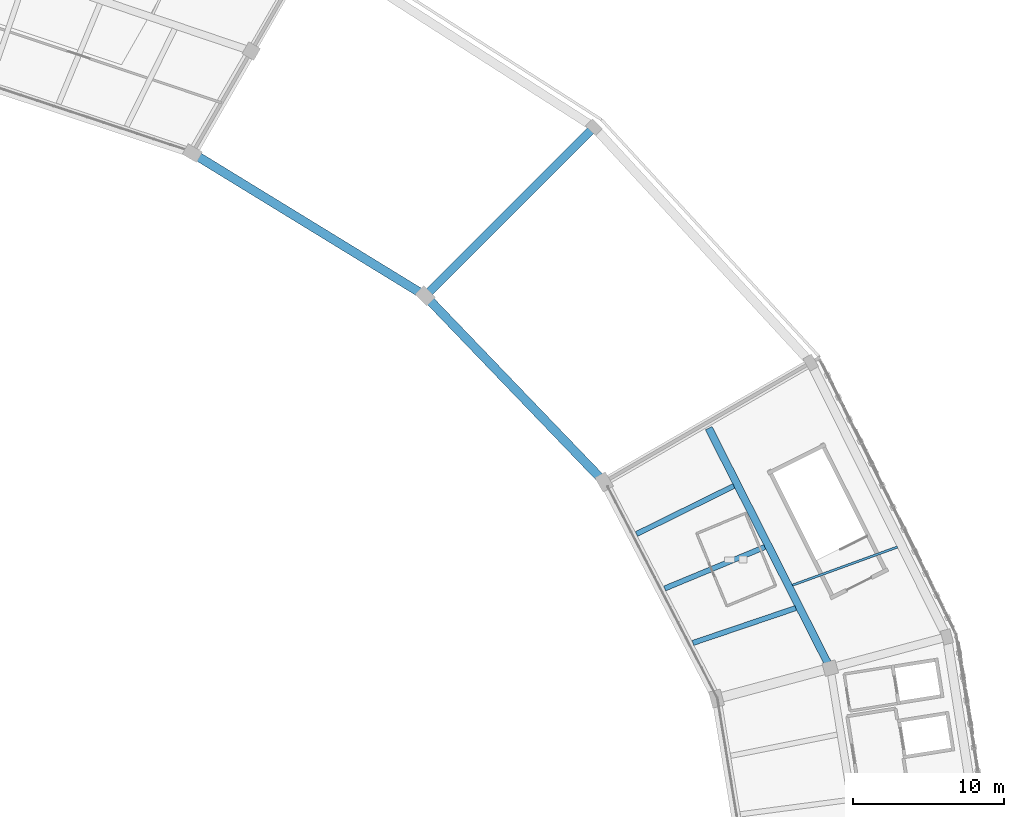
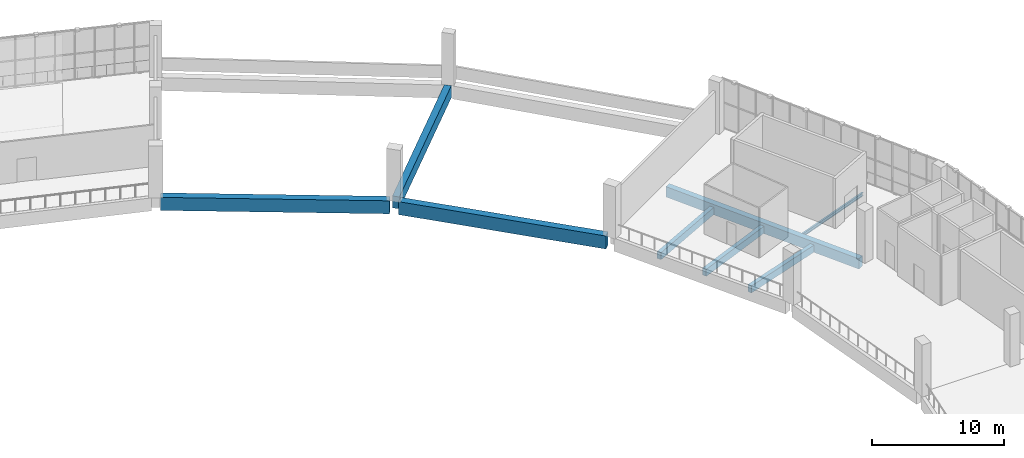
# One storey, part 22 of 64: 8 beams.
"""IFC4 building model written with IfcOpenShell, lengths in metres."""

import ifcopenshell
import ifcopenshell.guid

model = None  # the IFC model being written
_history = None  # IfcOwnerHistory: only IFC2X3 demands one
_inside = {}  # id of a spatial element -> (the spatial element, [elements in it])
_under = {}  # id of a project, library or spatial element -> (it, [spatial elements below it])
_declared = {}  # id of a project -> (the project, [libraries it declares])
_typed = {}  # id of a type object -> (the type object, [elements of that type])
_made_of = {}  # id of a material, layer set ... -> (it, [elements and type objects made of it])


def new_model(schema):
    """Start an empty IFC model of exactly this schema.

    Asked for "IFC4X3", IfcOpenShell would pick the latest addendum, in which some entities
    have other attributes; the version numbers below select the first issue.
    IFC2X3 requires an IfcOwnerHistory on every rooted entity: one is made here for all.
    """
    global model, _history
    if schema == "IFC4X3":
        model = ifcopenshell.file(schema_version=(4, 3, 0, 0))
    else:
        model = ifcopenshell.file(schema=schema)
    _inside.clear()
    _under.clear()
    _declared.clear()
    _typed.clear()
    _made_of.clear()
    _history = None
    if model.schema == "IFC2X3":
        org = make("IfcOrganization", Name="unknown")
        user = make(
            "IfcPersonAndOrganization",
            ThePerson=make("IfcPerson", FamilyName="unknown"),
            TheOrganization=org,
        )
        app = make(
            "IfcApplication",
            ApplicationDeveloper=org,
            Version="unknown",
            ApplicationFullName="unknown",
            ApplicationIdentifier="unknown",
        )
        _history = make(
            "IfcOwnerHistory",
            OwningUser=user,
            OwningApplication=app,
            ChangeAction="ADDED",
            CreationDate=0,
        )
    return model


def make(cls, **values):
    """One entity of the class cls with the attributes given. An attribute that is None is left unset."""
    return model.create_entity(
        cls, **{name: value for name, value in values.items() if value is not None}
    )


def rooted(cls, **values):
    """An entity with a GlobalId (a new one), such as an element, a storey or a relation."""
    return make(cls, GlobalId=ifcopenshell.guid.new(), OwnerHistory=_history, **values)


def si_unit(unit_type, name, prefix=None):
    """IfcSIUnit, for example si_unit("LENGTHUNIT", "METRE", prefix="MILLI")."""
    return make("IfcSIUnit", UnitType=unit_type, Prefix=prefix, Name=name)


def assignment(units):
    """IfcUnitAssignment: the units of a project."""
    return None if units is None else make("IfcUnitAssignment", Units=units)


def point(xyz):
    """IfcCartesianPoint."""
    return None if xyz is None else make("IfcCartesianPoint", Coordinates=xyz)


def direction(xyz):
    """IfcDirection."""
    return None if xyz is None else make("IfcDirection", DirectionRatios=xyz)


def frame(location, z_axis=None, x_axis=None):
    """IfcAxis2Placement3D, a coordinate frame: its origin and axes. An axis left out is left unset."""
    return make(
        "IfcAxis2Placement3D",
        Location=point(location),
        Axis=direction(z_axis),
        RefDirection=direction(x_axis),
    )


def frame_2d(location, x_axis=None):
    """IfcAxis2Placement2D, a coordinate frame in the plane: its origin and x axis."""
    return make(
        "IfcAxis2Placement2D", Location=point(location), RefDirection=direction(x_axis)
    )


def origin():
    """The frame at (0, 0, 0) with its axes left unset."""
    return frame((0.0, 0.0, 0.0))


def origin_2d():
    """The frame at (0, 0) in the plane with its x axis left unset."""
    return frame_2d((0.0, 0.0))


def place(relative_to, where):
    """IfcLocalPlacement: puts the frame where relative to a parent placement (None: the world)."""
    return make(
        "IfcLocalPlacement", PlacementRelTo=relative_to, RelativePlacement=where
    )


def context(
    kind, dimensions, precision=None, world=None, true_north=None, identifier=None
):
    """IfcGeometricRepresentationContext, for example the 3D "Model" context."""
    return make(
        "IfcGeometricRepresentationContext",
        ContextIdentifier=identifier,
        ContextType=kind,
        CoordinateSpaceDimension=dimensions,
        Precision=precision,
        WorldCoordinateSystem=world,
        TrueNorth=true_north,
    )


def subcontext(parent, identifier, kind, view, scale=None):
    """IfcGeometricRepresentationSubContext, for example "Body" below "Model"."""
    return make(
        "IfcGeometricRepresentationSubContext",
        ContextIdentifier=identifier,
        ContextType=kind,
        ParentContext=parent,
        TargetScale=scale,
        TargetView=view,
    )


def project(units=None, contexts=None):
    """IfcProject with its units and contexts."""
    return rooted(
        "IfcProject",
        Name="project",
        RepresentationContexts=contexts,
        UnitsInContext=assignment(units),
    )


def spatial(cls, under=None, at=None, **own):
    """A site, building, storey or space (cls), placed at a placement, below another one or the project."""
    s = rooted(cls, ObjectPlacement=at, **own)
    if under is not None:
        _under.setdefault(under.id(), (under, []))[1].append(s)
    return s


def profile(cls, at=None, kind="AREA", **sizes):
    """A parametric profile (cls). Its sizes go by their IFC names, for example OverallWidth=200.0."""
    return make(cls, ProfileType=kind, Position=at, **sizes)


def rectangle(**sizes):
    """IfcRectangleProfileDef."""
    return profile("IfcRectangleProfileDef", **sizes)


def i_section(**sizes):
    """IfcIShapeProfileDef."""
    return profile("IfcIShapeProfileDef", **sizes)


def extrude(swept, where, along, depth):
    """IfcExtrudedAreaSolid: the profile swept, set in the frame where, extruded along a direction by depth."""
    return make(
        "IfcExtrudedAreaSolid",
        SweptArea=swept,
        Position=where,
        ExtrudedDirection=direction(along),
        Depth=depth,
    )


def shape(context_of_items, identifier, shape_type, items):
    """IfcShapeRepresentation: the items that make up one representation, for example the "Body"."""
    return make(
        "IfcShapeRepresentation",
        ContextOfItems=context_of_items,
        RepresentationIdentifier=identifier,
        RepresentationType=shape_type,
        Items=items,
    )


def material(Name=None, Category=None):
    """IfcMaterial."""
    return make("IfcMaterial", Name=Name, Category=Category)


def material_profile(
    of_material, cross_section, Name=None, Category=None, Priority=None
):
    """IfcMaterialProfile: a cross section and its material."""
    return make(
        "IfcMaterialProfile",
        Name=Name,
        Material=of_material,
        Profile=cross_section,
        Priority=Priority,
        Category=Category,
    )


def profile_set(profiles, Name=None, composite=None):
    """IfcMaterialProfileSet."""
    return make(
        "IfcMaterialProfileSet",
        Name=Name,
        MaterialProfiles=profiles,
        CompositeProfile=composite,
    )


def made_of(thing, what):
    """Note that an element or type object is made of a material, layer set ...; save() writes the relation."""
    if what is not None:
        _made_of.setdefault(what.id(), (what, []))[1].append(thing)
    return thing


def type_object(cls, material=None, **own):
    """A type object (cls), such as IfcWallType, which elements share."""
    return made_of(rooted(cls, **own), material)


def element(
    cls,
    number,
    at=None,
    inside=None,
    cuts=None,
    type_object=None,
    material=None,
    context=None,
    identifier="Body",
    shape_type=None,
    held_by="IfcProductDefinitionShape",
    body=None,
    shapes=None,
    **own,
):
    """One element of the class cls, such as IfcWall. Its Tag is "e" and its number.

    at: its placement. inside: the storey or other place that contains it. cuts: it is an
    opening in that element (IfcRelVoidsElement). A single representation is given by context,
    identifier, shape_type and body (its items); several are given by shapes. held_by: the class
    of the entity that holds the representations. save() writes the other relations.
    """
    e = rooted(cls, Tag="e%d" % number, ObjectPlacement=at, **own)
    if body is not None:
        shapes = [shape(context, identifier, shape_type, body)]
    if shapes is not None:
        e.Representation = make(held_by, Representations=shapes)
    if inside is not None:
        _inside.setdefault(inside.id(), (inside, []))[1].append(e)
    if cuts is not None:
        rooted(
            "IfcRelVoidsElement", RelatingBuildingElement=cuts, RelatedOpeningElement=e
        )
    if type_object is not None:
        _typed.setdefault(type_object.id(), (type_object, []))[1].append(e)
    return made_of(e, material)


def aggregate(whole, parts):
    """IfcRelAggregates: a whole, such as a stair, and the parts it consists of."""
    return rooted("IfcRelAggregates", RelatingObject=whole, RelatedObjects=parts)


def save(model, path):
    """Write the relations noted so far, then the file.

    IfcRelAggregates (storeys below a building ...), IfcRelContainedInSpatialStructure (elements
    in a storey), IfcRelDefinesByType, IfcRelAssociatesMaterial and IfcRelDeclares: one each for
    every whole, place, type object, material and project.
    """
    for whole, parts in _under.values():
        aggregate(whole, parts)
    for where, things in _inside.values():
        rooted(
            "IfcRelContainedInSpatialStructure",
            RelatedElements=things,
            RelatingStructure=where,
        )
    for kind, things in _typed.values():
        rooted("IfcRelDefinesByType", RelatedObjects=things, RelatingType=kind)
    for what, things in _made_of.values():
        rooted("IfcRelAssociatesMaterial", RelatedObjects=things, RelatingMaterial=what)
    for by, libraries in _declared.values():
        rooted("IfcRelDeclares", RelatingContext=by, RelatedDefinitions=libraries)
    model.write(path)


model = new_model("IFC4")

# Units and contexts
model_context = context("Model", 3, precision=1e-05, world=origin(), true_north=direction((0.0, 1.0)))
body_context = subcontext(model_context, "Body", "Model", "MODEL_VIEW")
ifc_project = project(units=[si_unit("LENGTHUNIT", "METRE"), si_unit("AREAUNIT", "SQUARE_METRE"), si_unit("VOLUMEUNIT", "CUBIC_METRE"), si_unit("PLANEANGLEUNIT", "RADIAN"), si_unit("MASSUNIT", "GRAM", prefix="KILO")], contexts=[model_context])

# Site, building, storey
site_placement = place(None, origin())
site = spatial("IfcSite", under=ifc_project, at=site_placement, CompositionType="ELEMENT")
building_placement = place(site_placement, origin())
building = spatial("IfcBuilding", under=site, at=building_placement, Name="Zevraka Park Crest Stadium", CompositionType="ELEMENT")
storey_placement = place(building_placement, frame((0.0, 0.0, 24.60009765625)))
storey = spatial("IfcBuildingStorey", under=building, at=storey_placement, Name="L05", CompositionType="ELEMENT", Elevation=24.60009765625)

# Beams
ifc_material_1 = material(Name="Concrete C40/50", Category="concrete")
ifc_material_profile_1 = material_profile(ifc_material_1, rectangle(XDim=0.550048828125, YDim=1.10009765625, at=origin_2d()), Name="RC 1100x550")
ifc_profile_set_1 = profile_set([ifc_material_profile_1], Name="Concrete C40/50")
beam_type_1 = type_object("IfcBeamType", Name="BG02", PredefinedType="BEAM", material=ifc_profile_set_1)
beam_1_placement = place(storey_placement, frame((164.89111328125, 134.284912109375, -0.56005859375), z_axis=(0.707130872727, 0.707082688826, 0.0), x_axis=(-0.707082688826, 0.707130872727, 0.0)))
element("IfcBeam", 1, at=beam_1_placement, inside=storey, type_object=beam_type_1, Name="Radial Girder BG02 L05-BD-03", PredefinedType="BEAM", context=body_context, shape_type="SweptSolid", body=[
    extrude(rectangle(XDim=0.550048828125, YDim=1.10009765625, at=origin_2d()), origin(), (0.0, 0.0, 1.0), 15.200439453125),
])
ifc_material_2 = material(Name="Concrete C40/50", Category="concrete")
ifc_material_profile_2 = material_profile(ifc_material_2, rectangle(XDim=0.60009765625, YDim=1.199951171875, at=origin_2d()), Name="RC 1200x600")
ifc_profile_set_2 = profile_set([ifc_material_profile_2], Name="Concrete C40/50")
beam_type_2 = type_object("IfcBeamType", Name="RB01", PredefinedType="BEAM", material=ifc_profile_set_2)
beam_2_placement = place(storey_placement, frame((176.256103515625, 122.02392578125, -0.610107421875), z_axis=(-0.692852617328, 0.721079226342, 0.0), x_axis=(-0.721079226342, -0.692852617328, 0.0)))
element("IfcBeam", 2, at=beam_2_placement, inside=storey, type_object=beam_type_2, Name="Ring Beam RB01 L05-B-02", PredefinedType="BEAM", context=body_context, shape_type="SweptSolid", body=[
    extrude(rectangle(XDim=0.60009765625, YDim=1.199951171875, at=origin_2d()), origin(), (0.0, 0.0, 1.0), 16.329833984375),
])
beam_3_placement = place(storey_placement, frame((164.35498046875, 134.27197265625, -0.610107421875), z_axis=(-0.852632623571, 0.522510869956, 0.0), x_axis=(-0.522510869956, -0.852632623571, 0.0)))
element("IfcBeam", 3, at=beam_3_placement, inside=storey, type_object=beam_type_2, Name="Ring Beam RB01 L05-B-03", PredefinedType="BEAM", context=body_context, shape_type="SweptSolid", body=[
    extrude(rectangle(XDim=0.60009765625, YDim=1.199951171875, at=origin_2d()), origin(), (0.0, 0.0, 1.0), 17.335693359375),
])
ifc_material_3 = material(Name="Concrete C40/50", Category="concrete")
ifc_material_profile_3 = material_profile(ifc_material_3, rectangle(XDim=0.5, YDim=0.949951171875, at=origin_2d()), Name="RC 950x500")
ifc_profile_set_3 = profile_set([ifc_material_profile_3], Name="Concrete C40/50")
beam_type_3 = type_object("IfcBeamType", Name="RB02", PredefinedType="BEAM", material=ifc_profile_set_3)
beam_4_placement = place(storey_placement, frame((191.323974609375, 109.758056640625, -0.485107421875), z_axis=(-0.451862275442, 0.892087710953, 0.0), x_axis=(-0.892087710953, -0.451862275442, 0.0)))
element("IfcBeam", 4, at=beam_4_placement, inside=storey, type_object=beam_type_3, Name="Ring Beam RB02 L05-C-01", PredefinedType="BEAM", context=body_context, shape_type="SweptSolid", body=[
    extrude(rectangle(XDim=0.5, YDim=0.949951171875, at=origin_2d()), origin(), (0.0, 0.0, 1.0), 17.434326171875),
])
ifc_material_4 = material(Name="Steel S355", Category="steel")
ifc_material_profile_4 = material_profile(ifc_material_4, i_section(OverallWidth=0.14990234375, OverallDepth=0.300048828125, WebThickness=0.007080078125, FlangeThickness=0.0107421875, at=origin_2d()), Name="IPE 300")
ifc_profile_set_4 = profile_set([ifc_material_profile_4], Name="Steel S355")
beam_type_4 = type_object("IfcBeamType", Name="SJ01", PredefinedType="JOIST", material=ifc_profile_set_4)
beam_5_placement = place(storey_placement, frame((188.986083984375, 114.9130859375, -0.418212890625), z_axis=(0.939772225385, 0.341801352243, 0.0), x_axis=(-0.341801352243, 0.939772225385, 0.0)))
element("IfcBeam", 5, at=beam_5_placement, inside=storey, type_object=beam_type_4, Name="Floor Joist SJ01 L05-CD-01-1", PredefinedType="JOIST", context=body_context, shape_type="SweptSolid", body=[
    extrude(i_section(OverallWidth=0.14990234375, OverallDepth=0.300048828125, WebThickness=0.007080078125, FlangeThickness=0.0107421875, at=origin_2d()), origin(), (0.0, 0.0, 1.0), 7.3984375),
])
ifc_material_5 = material(Name="Concrete C40/50", Category="concrete")
ifc_material_profile_5 = material_profile(ifc_material_5, rectangle(XDim=0.35009765625, YDim=0.64990234375, at=origin_2d()), Name="RC 650x350")
ifc_profile_set_5 = profile_set([ifc_material_profile_5], Name="Concrete C40/50")
beam_type_5 = type_object("IfcBeamType", Name="SJ06", PredefinedType="JOIST", material=ifc_profile_set_5)
beam_6_placement = place(storey_placement, frame((182.39892578125, 111.089111328125, -0.593017578125), z_axis=(0.947037352852, 0.321123422227, 0.0), x_axis=(-0.321123422227, 0.947037352852, 0.0)))
element("IfcBeam", 6, at=beam_6_placement, inside=storey, type_object=beam_type_5, Name="Floor Joist SJ06 L05-BC-01-1", PredefinedType="JOIST", context=body_context, shape_type="SweptSolid", body=[
    extrude(rectangle(XDim=0.35009765625, YDim=0.64990234375, at=origin_2d()), origin(), (0.0, 0.0, 1.0), 7.18994140625),
])
beam_7_placement = place(storey_placement, frame((180.531005859375, 114.696044921875, -0.593017578125), z_axis=(0.923904434651, 0.382623307749, 0.0), x_axis=(-0.382623307749, 0.923904434651, 0.0)))
element("IfcBeam", 7, at=beam_7_placement, inside=storey, type_object=beam_type_5, Name="Floor Joist SJ06 L05-BC-01-2", PredefinedType="JOIST", context=body_context, shape_type="SweptSolid", body=[
    extrude(rectangle(XDim=0.35009765625, YDim=0.64990234375, at=origin_2d()), origin(), (0.0, 0.0, 1.0), 7.173828125),
])
beam_8_placement = place(storey_placement, frame((178.662109375, 118.302001953125, -0.593017578125), z_axis=(0.89675774001, 0.442521813849, 0.0), x_axis=(-0.442521813849, 0.89675774001, 0.0)))
element("IfcBeam", 8, at=beam_8_placement, inside=storey, type_object=beam_type_5, Name="Floor Joist SJ06 L05-BC-01-3", PredefinedType="JOIST", context=body_context, shape_type="SweptSolid", body=[
    extrude(rectangle(XDim=0.35009765625, YDim=0.64990234375, at=origin_2d()), origin(), (0.0, 0.0, 1.0), 7.1904296875),
])

save(model, "model.ifc")
